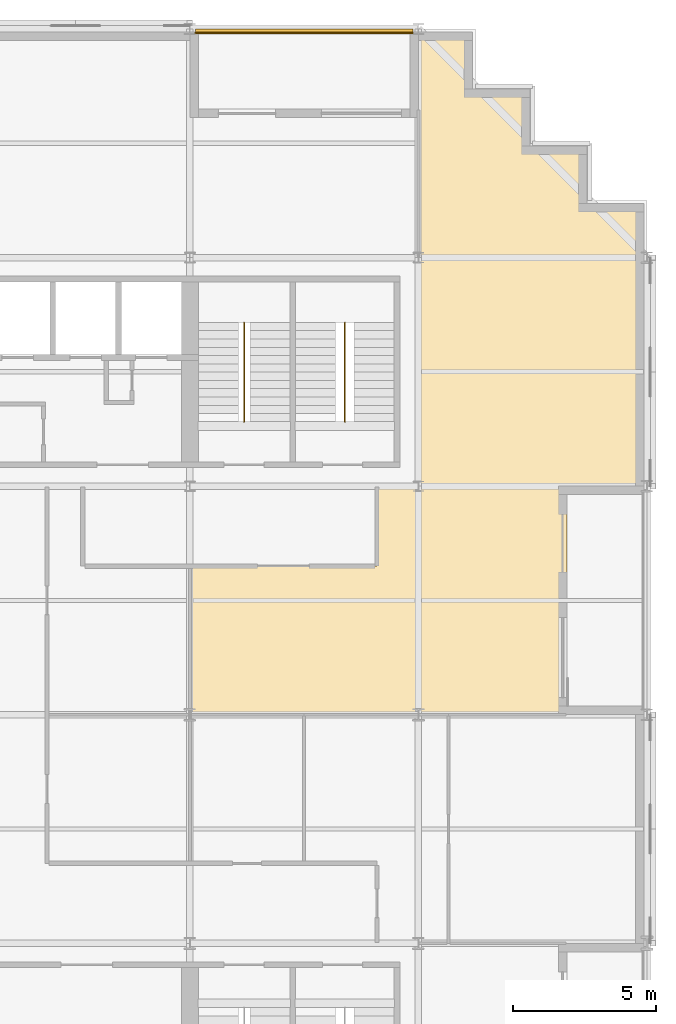
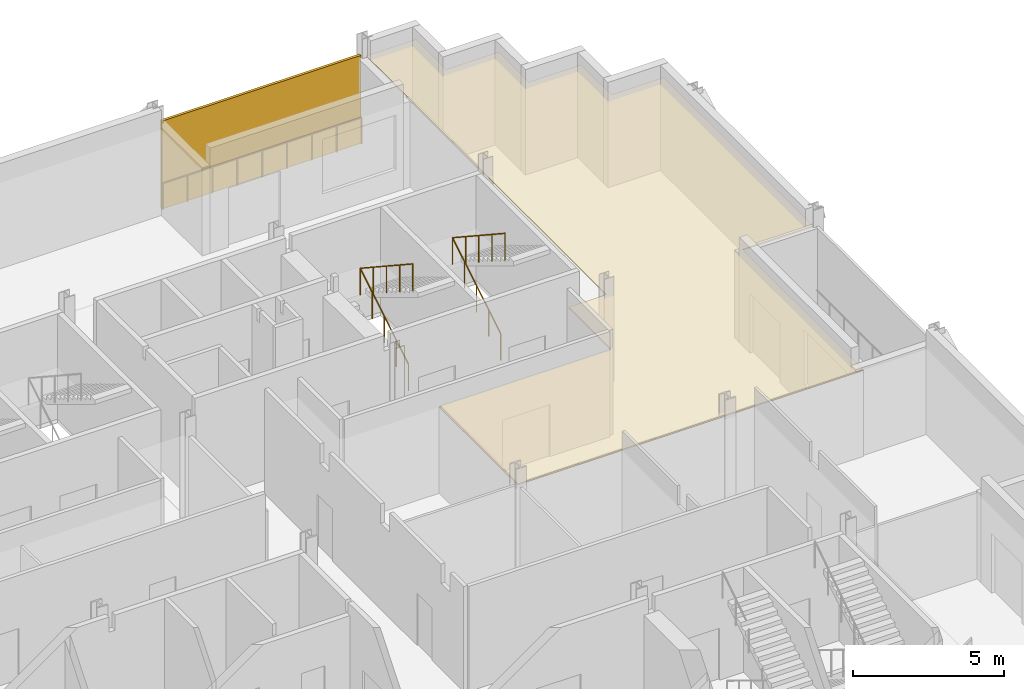
# One storey, part 13 of 13: 3 railings, 1 covering, 1 shading device.
"""IFC4 building model written with IfcOpenShell, lengths in metres."""

import ifcopenshell
import ifcopenshell.guid

model = None  # the IFC model being written
_history = None  # IfcOwnerHistory: only IFC2X3 demands one
_inside = {}  # id of a spatial element -> (the spatial element, [elements in it])
_under = {}  # id of a project, library or spatial element -> (it, [spatial elements below it])
_declared = {}  # id of a project -> (the project, [libraries it declares])
_typed = {}  # id of a type object -> (the type object, [elements of that type])
_made_of = {}  # id of a material, layer set ... -> (it, [elements and type objects made of it])


def new_model(schema):
    """Start an empty IFC model of exactly this schema.

    Asked for "IFC4X3", IfcOpenShell would pick the latest addendum, in which some entities
    have other attributes; the version numbers below select the first issue.
    IFC2X3 requires an IfcOwnerHistory on every rooted entity: one is made here for all.
    """
    global model, _history
    if schema == "IFC4X3":
        model = ifcopenshell.file(schema_version=(4, 3, 0, 0))
    else:
        model = ifcopenshell.file(schema=schema)
    _inside.clear()
    _under.clear()
    _declared.clear()
    _typed.clear()
    _made_of.clear()
    _history = None
    if model.schema == "IFC2X3":
        org = make("IfcOrganization", Name="unknown")
        user = make(
            "IfcPersonAndOrganization",
            ThePerson=make("IfcPerson", FamilyName="unknown"),
            TheOrganization=org,
        )
        app = make(
            "IfcApplication",
            ApplicationDeveloper=org,
            Version="unknown",
            ApplicationFullName="unknown",
            ApplicationIdentifier="unknown",
        )
        _history = make(
            "IfcOwnerHistory",
            OwningUser=user,
            OwningApplication=app,
            ChangeAction="ADDED",
            CreationDate=0,
        )
    return model


def make(cls, **values):
    """One entity of the class cls with the attributes given. An attribute that is None is left unset."""
    return model.create_entity(
        cls, **{name: value for name, value in values.items() if value is not None}
    )


def rooted(cls, **values):
    """An entity with a GlobalId (a new one), such as an element, a storey or a relation."""
    return make(cls, GlobalId=ifcopenshell.guid.new(), OwnerHistory=_history, **values)


def si_unit(unit_type, name, prefix=None):
    """IfcSIUnit, for example si_unit("LENGTHUNIT", "METRE", prefix="MILLI")."""
    return make("IfcSIUnit", UnitType=unit_type, Prefix=prefix, Name=name)


def assignment(units):
    """IfcUnitAssignment: the units of a project."""
    return None if units is None else make("IfcUnitAssignment", Units=units)


def point(xyz):
    """IfcCartesianPoint."""
    return None if xyz is None else make("IfcCartesianPoint", Coordinates=xyz)


def direction(xyz):
    """IfcDirection."""
    return None if xyz is None else make("IfcDirection", DirectionRatios=xyz)


def frame(location, z_axis=None, x_axis=None):
    """IfcAxis2Placement3D, a coordinate frame: its origin and axes. An axis left out is left unset."""
    return make(
        "IfcAxis2Placement3D",
        Location=point(location),
        Axis=direction(z_axis),
        RefDirection=direction(x_axis),
    )


def frame_2d(location, x_axis=None):
    """IfcAxis2Placement2D, a coordinate frame in the plane: its origin and x axis."""
    return make(
        "IfcAxis2Placement2D", Location=point(location), RefDirection=direction(x_axis)
    )


def origin():
    """The frame at (0, 0, 0) with its axes left unset."""
    return frame((0.0, 0.0, 0.0))


def origin_2d():
    """The frame at (0, 0) in the plane with its x axis left unset."""
    return frame_2d((0.0, 0.0))


def place(relative_to, where):
    """IfcLocalPlacement: puts the frame where relative to a parent placement (None: the world)."""
    return make(
        "IfcLocalPlacement", PlacementRelTo=relative_to, RelativePlacement=where
    )


def context(
    kind, dimensions, precision=None, world=None, true_north=None, identifier=None
):
    """IfcGeometricRepresentationContext, for example the 3D "Model" context."""
    return make(
        "IfcGeometricRepresentationContext",
        ContextIdentifier=identifier,
        ContextType=kind,
        CoordinateSpaceDimension=dimensions,
        Precision=precision,
        WorldCoordinateSystem=world,
        TrueNorth=true_north,
    )


def subcontext(parent, identifier, kind, view, scale=None):
    """IfcGeometricRepresentationSubContext, for example "Body" below "Model"."""
    return make(
        "IfcGeometricRepresentationSubContext",
        ContextIdentifier=identifier,
        ContextType=kind,
        ParentContext=parent,
        TargetScale=scale,
        TargetView=view,
    )


def project(units=None, contexts=None):
    """IfcProject with its units and contexts."""
    return rooted(
        "IfcProject",
        Name="project",
        RepresentationContexts=contexts,
        UnitsInContext=assignment(units),
    )


def spatial(cls, under=None, at=None, **own):
    """A site, building, storey or space (cls), placed at a placement, below another one or the project."""
    s = rooted(cls, ObjectPlacement=at, **own)
    if under is not None:
        _under.setdefault(under.id(), (under, []))[1].append(s)
    return s


def polyline(points):
    """IfcPolyline through the points."""
    return make("IfcPolyline", Points=[point(p) for p in points])


def profile(cls, at=None, kind="AREA", **sizes):
    """A parametric profile (cls). Its sizes go by their IFC names, for example OverallWidth=200.0."""
    return make(cls, ProfileType=kind, Position=at, **sizes)


def rectangle(**sizes):
    """IfcRectangleProfileDef."""
    return profile("IfcRectangleProfileDef", **sizes)


def circle(**sizes):
    """IfcCircleProfileDef."""
    return profile("IfcCircleProfileDef", **sizes)


def outline(outer, holes=None, kind="AREA"):
    """IfcArbitraryClosedProfileDef: a profile drawn as a closed curve; with holes, ...WithVoids."""
    if holes is None:
        return make("IfcArbitraryClosedProfileDef", ProfileType=kind, OuterCurve=outer)
    return make(
        "IfcArbitraryProfileDefWithVoids",
        ProfileType=kind,
        OuterCurve=outer,
        InnerCurves=holes,
    )


def extrude(swept, where, along, depth):
    """IfcExtrudedAreaSolid: the profile swept, set in the frame where, extruded along a direction by depth."""
    return make(
        "IfcExtrudedAreaSolid",
        SweptArea=swept,
        Position=where,
        ExtrudedDirection=direction(along),
        Depth=depth,
    )


def shape(context_of_items, identifier, shape_type, items):
    """IfcShapeRepresentation: the items that make up one representation, for example the "Body"."""
    return make(
        "IfcShapeRepresentation",
        ContextOfItems=context_of_items,
        RepresentationIdentifier=identifier,
        RepresentationType=shape_type,
        Items=items,
    )


def material(Name=None, Category=None):
    """IfcMaterial."""
    return make("IfcMaterial", Name=Name, Category=Category)


def layer(
    of_material, thickness, ventilated=None, Name=None, Category=None, Priority=None
):
    """IfcMaterialLayer: one layer of a wall or slab, of a material (None: an air gap)."""
    return make(
        "IfcMaterialLayer",
        Material=of_material,
        LayerThickness=thickness,
        IsVentilated=ventilated,
        Name=Name,
        Category=Category,
        Priority=Priority,
    )


def layer_set(layers, Name=None):
    """IfcMaterialLayerSet."""
    return make("IfcMaterialLayerSet", MaterialLayers=layers, LayerSetName=Name)


def made_of(thing, what):
    """Note that an element or type object is made of a material, layer set ...; save() writes the relation."""
    if what is not None:
        _made_of.setdefault(what.id(), (what, []))[1].append(thing)
    return thing


def type_object(cls, material=None, **own):
    """A type object (cls), such as IfcWallType, which elements share."""
    return made_of(rooted(cls, **own), material)


def element(
    cls,
    number,
    at=None,
    inside=None,
    cuts=None,
    type_object=None,
    material=None,
    context=None,
    identifier="Body",
    shape_type=None,
    held_by="IfcProductDefinitionShape",
    body=None,
    shapes=None,
    **own,
):
    """One element of the class cls, such as IfcWall. Its Tag is "e" and its number.

    at: its placement. inside: the storey or other place that contains it. cuts: it is an
    opening in that element (IfcRelVoidsElement). A single representation is given by context,
    identifier, shape_type and body (its items); several are given by shapes. held_by: the class
    of the entity that holds the representations. save() writes the other relations.
    """
    e = rooted(cls, Tag="e%d" % number, ObjectPlacement=at, **own)
    if body is not None:
        shapes = [shape(context, identifier, shape_type, body)]
    if shapes is not None:
        e.Representation = make(held_by, Representations=shapes)
    if inside is not None:
        _inside.setdefault(inside.id(), (inside, []))[1].append(e)
    if cuts is not None:
        rooted(
            "IfcRelVoidsElement", RelatingBuildingElement=cuts, RelatedOpeningElement=e
        )
    if type_object is not None:
        _typed.setdefault(type_object.id(), (type_object, []))[1].append(e)
    return made_of(e, material)


def aggregate(whole, parts):
    """IfcRelAggregates: a whole, such as a stair, and the parts it consists of."""
    return rooted("IfcRelAggregates", RelatingObject=whole, RelatedObjects=parts)


def save(model, path):
    """Write the relations noted so far, then the file.

    IfcRelAggregates (storeys below a building ...), IfcRelContainedInSpatialStructure (elements
    in a storey), IfcRelDefinesByType, IfcRelAssociatesMaterial and IfcRelDeclares: one each for
    every whole, place, type object, material and project.
    """
    for whole, parts in _under.values():
        aggregate(whole, parts)
    for where, things in _inside.values():
        rooted(
            "IfcRelContainedInSpatialStructure",
            RelatedElements=things,
            RelatingStructure=where,
        )
    for kind, things in _typed.values():
        rooted("IfcRelDefinesByType", RelatedObjects=things, RelatingType=kind)
    for what, things in _made_of.values():
        rooted("IfcRelAssociatesMaterial", RelatedObjects=things, RelatingMaterial=what)
    for by, libraries in _declared.values():
        rooted("IfcRelDeclares", RelatingContext=by, RelatedDefinitions=libraries)
    model.write(path)


model = new_model("IFC4")

# Units and contexts
model_context = context("Model", 3, precision=1e-05, world=origin(), true_north=direction((0.0, 1.0)))
body_context = subcontext(model_context, "Body", "Model", "MODEL_VIEW")
ifc_project = project(units=[si_unit("LENGTHUNIT", "METRE"), si_unit("AREAUNIT", "SQUARE_METRE"), si_unit("VOLUMEUNIT", "CUBIC_METRE"), si_unit("PLANEANGLEUNIT", "RADIAN"), si_unit("MASSUNIT", "GRAM", prefix="KILO")], contexts=[model_context])

# Site, building, storey
site_placement = place(None, origin())
site = spatial("IfcSite", under=ifc_project, at=site_placement, CompositionType="ELEMENT")
building_placement = place(site_placement, origin())
building = spatial("IfcBuilding", under=site, at=building_placement, Name="Immortelle Media Tower", CompositionType="ELEMENT")
storey_placement = place(building_placement, frame((0.0, 0.0, 74.39990234375)))
storey = spatial("IfcBuildingStorey", under=building, at=storey_placement, Name="L13", CompositionType="ELEMENT", Elevation=74.39990234375)

# Railing
ifc_material_1 = material(Name="Powder-coated aluminium fretwork panel, laminated glass backing", Category="aluminium")
railing_type_1 = type_object("IfcRailingType", Name="Fretwork balustrade 1100", PredefinedType="BALUSTRADE", material=ifc_material_1)
railing_placement = place(storey_placement, frame((39.802978515625, 47.860107421875, 0.0)))
element("IfcRailing", 1, at=railing_placement, inside=storey, type_object=railing_type_1, Name="Fretwork balustrade L13 N0", PredefinedType="BALUSTRADE", context=body_context, shape_type="SweptSolid", body=[
    extrude(circle(Radius=0.02490234375, at=origin_2d()), frame((0.0, 0.0, 1.0751953125), z_axis=(-1.0, 0.0, 0.0), x_axis=(0.0, -1.0, 0.0)), (0.0, 0.0, 1.0), 7.6025390625),
    extrude(circle(Radius=0.02001953125, at=origin_2d()), origin(), (0.0, 0.0, 1.0), 1.050048828125),
    extrude(circle(Radius=0.02001953125, at=origin_2d()), frame((-0.9501953125, 0.0, 0.0)), (0.0, 0.0, 1.0), 1.050048828125),
    extrude(circle(Radius=0.02001953125, at=origin_2d()), frame((-1.900634765625, 0.0, 0.0)), (0.0, 0.0, 1.0), 1.050048828125),
    extrude(circle(Radius=0.02001953125, at=origin_2d()), frame((-2.85107421875, 0.0, 0.0)), (0.0, 0.0, 1.0), 1.050048828125),
    extrude(circle(Radius=0.02001953125, at=origin_2d()), frame((-3.80126953125, 0.0, 0.0)), (0.0, 0.0, 1.0), 1.050048828125),
    extrude(circle(Radius=0.02001953125, at=origin_2d()), frame((-4.75146484375, 0.0, 0.0)), (0.0, 0.0, 1.0), 1.050048828125),
    extrude(circle(Radius=0.02001953125, at=origin_2d()), frame((-5.701904296875, 0.0, 0.0)), (0.0, 0.0, 1.0), 1.050048828125),
    extrude(circle(Radius=0.02001953125, at=origin_2d()), frame((-6.65234375, 0.0, 0.0)), (0.0, 0.0, 1.0), 1.050048828125),
    extrude(circle(Radius=0.02001953125, at=origin_2d()), frame((-7.6025390625, 0.0, 0.0)), (0.0, 0.0, 1.0), 1.050048828125),
])

# Shading device
ifc_material_2 = material(Name="Pale aluminium louvre blades", Category="aluminium")
ifc_layer_1 = layer(ifc_material_2, 0.10009765625)
ifc_layer_set_1 = layer_set([ifc_layer_1], Name="Pale aluminium louvre blades")
shading_device_type = type_object("IfcShadingDeviceType", Name="Jalousie screen 100", PredefinedType="JALOUSIE", material=ifc_layer_set_1)
shading_device_placement = place(storey_placement, frame((36.001708984375, 47.949951171875, 0.0), z_axis=(0.0, 0.0, 1.0), x_axis=(-1.0, 0.0, 0.0)))
element("IfcShadingDevice", 2, at=shading_device_placement, inside=storey, type_object=shading_device_type, Name="Jalousie screen L13 N0", PredefinedType="JALOUSIE", context=body_context, shape_type="SweptSolid", body=[
    extrude(rectangle(XDim=7.6025390625, YDim=0.10009765625, at=origin_2d()), origin(), (0.0, 0.0, 1.0), 3.556884765625),
])

# Railings
ifc_material_3 = material(Name="Stainless steel AISI 316", Category="steel")
railing_type_2 = type_object("IfcRailingType", Name="Stair guard 1100", PredefinedType="GUARDRAIL", material=ifc_material_3)
for number, where, name in (
    (3, (33.89990234375, 34.5400390625, 0.176025390625), "Stair guard NE1"),
    (4, (37.425048828125, 34.5400390625, 0.176025390625), "Stair guard NE2"),
):
    element("IfcRailing", number, at=place(storey_placement, frame(where)), inside=storey, type_object=railing_type_2, Name=name, PredefinedType="GUARDRAIL", context=body_context, shape_type="SweptSolid", body=[
        extrude(circle(Radius=0.02392578125, at=origin_2d()), frame((0.0, 0.0, 1.076171875), z_axis=(0.0, 0.854872504309, 0.518838126371), x_axis=(-1.0, 0.0, 0.0)), (0.0, 0.0, 1.0), 3.7314453125),
        extrude(circle(Radius=0.02392578125, at=origin_2d()), frame((0.0, 3.18994140625, 3.01220703125), z_axis=(0.0, -0.835568629342, 0.549386080693), x_axis=(1.0, 0.0, 0.0)), (0.0, 0.0, 1.0), 4.164794921875),
        extrude(circle(Radius=0.02099609375, at=origin_2d()), origin(), (0.0, 0.0, 1.0), 1.052001953125),
        extrude(circle(Radius=0.02099609375, at=origin_2d()), frame((0.0, 0.79736328125, 0.48388671875)), (0.0, 0.0, 1.0), 1.052001953125),
        extrude(circle(Radius=0.02099609375, at=origin_2d()), frame((0.0, 1.594970703125, 0.968017578125)), (0.0, 0.0, 1.0), 1.052001953125),
        extrude(circle(Radius=0.02099609375, at=origin_2d()), frame((0.0, 2.392578125, 1.4521484375)), (0.0, 0.0, 1.0), 1.052001953125),
        extrude(circle(Radius=0.02099609375, at=origin_2d()), frame((0.0, 3.18994140625, 1.93603515625)), (0.0, 0.0, 1.0), 1.052001953125),
        extrude(circle(Radius=0.02099609375, at=origin_2d()), frame((0.0, 2.31982421875, 2.508056640625)), (0.0, 0.0, 1.0), 1.052001953125),
        extrude(circle(Radius=0.02099609375, at=origin_2d()), frame((0.0, 1.449951171875, 3.080078125)), (0.0, 0.0, 1.0), 1.052001953125),
        extrude(circle(Radius=0.02099609375, at=origin_2d()), frame((0.0, 0.580078125, 3.652099609375)), (0.0, 0.0, 1.0), 1.052001953125),
        extrude(circle(Radius=0.02099609375, at=origin_2d()), frame((0.0, -0.2900390625, 4.22412109375)), (0.0, 0.0, 1.0), 1.052001953125),
    ])

# Covering
ifc_material_4 = material(Name="Mineral fibre tile ceiling")
ifc_layer_2 = layer(ifc_material_4, 0.050048828125)
ifc_layer_set_2 = layer_set([ifc_layer_2], Name="Mineral fibre tile ceiling")
covering_type = type_object("IfcCoveringType", Name="Suspended ceiling 50", PredefinedType="CEILING", material=ifc_layer_set_2)
covering_placement = place(storey_placement, frame((0.0, 0.0, 3.420166015625)))
element("IfcCovering", 5, at=covering_placement, inside=storey, type_object=covering_type, Name="Ceiling L13-019", PredefinedType="CEILING", context=body_context, shape_type="SweptSolid", body=[
    extrude(outline(polyline([(38.550048828125, 32.0), (40.0, 32.0), (40.0, 40.0), (40.0, 45.199951171875), (40.0, 47.89990234375), (41.89990234375, 47.89990234375), (41.89990234375, 45.89990234375), (43.89990234375, 45.89990234375), (43.89990234375, 43.89990234375), (45.89990234375, 43.89990234375), (45.89990234375, 41.89990234375), (47.89990234375, 41.89990234375), (47.89990234375, 40.0), (47.89990234375, 32.0), (45.199951171875, 32.0), (45.199951171875, 24.0), (40.0, 24.0), (32.0, 24.0), (32.0, 29.199951171875), (38.550048828125, 29.199951171875), (38.550048828125, 32.0)])), origin(), (0.0, 0.0, 1.0), 0.050048828125),
])

save(model, "model.ifc")
